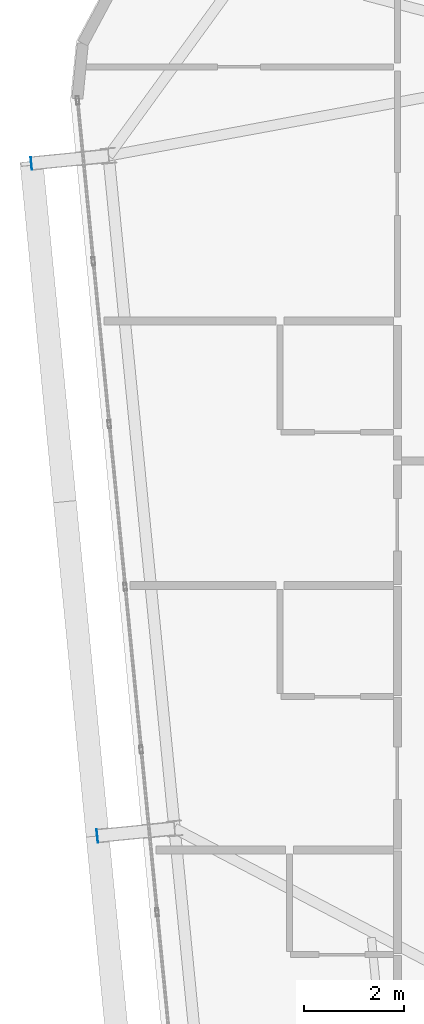
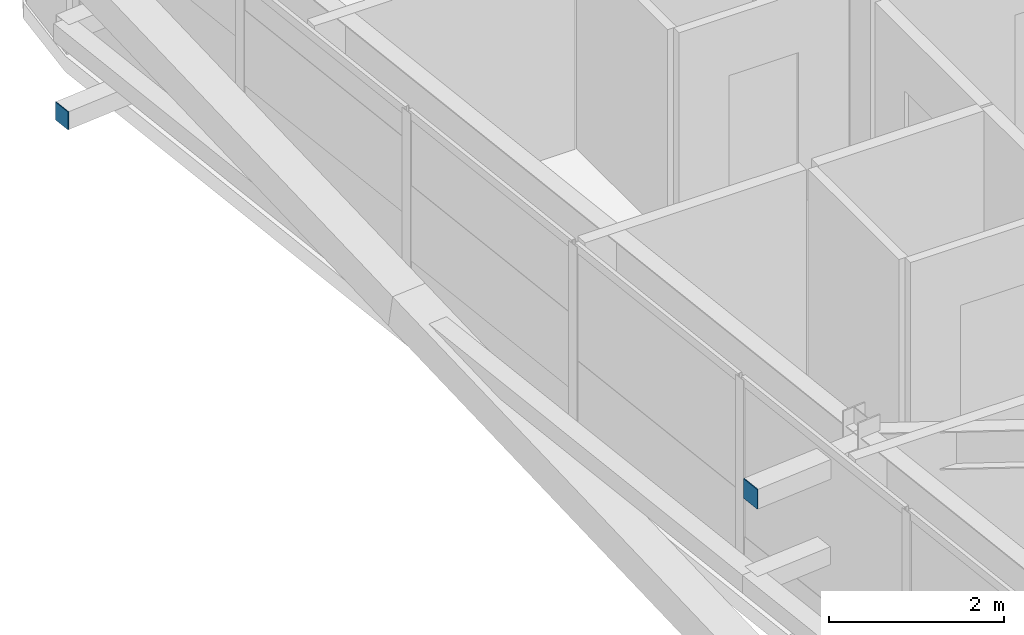
# One storey, part 40 of 53: 2 plates.
"""IFC4 building model written with IfcOpenShell, lengths in metres."""

from ifc_helpers import new_model, si_unit, direction, frame, origin, origin_2d, place, context, subcontext, project, spatial, rectangle, extrude, source, transform, mapped, material, layer, layer_set, type_object, element, save


model = new_model("IFC4")

# Units and contexts
model_context = context("Model", 3, precision=1e-05, world=origin(), true_north=direction((0.0, 1.0)))
body_context = subcontext(model_context, "Body", "Model", "MODEL_VIEW")
ifc_project = project(units=[si_unit("LENGTHUNIT", "METRE"), si_unit("AREAUNIT", "SQUARE_METRE"), si_unit("VOLUMEUNIT", "CUBIC_METRE"), si_unit("PLANEANGLEUNIT", "RADIAN"), si_unit("MASSUNIT", "GRAM", prefix="KILO")], contexts=[model_context])

# Site, building, storey
site_placement = place(None, origin())
site = spatial("IfcSite", under=ifc_project, at=site_placement, CompositionType="ELEMENT")
building_placement = place(site_placement, origin())
building = spatial("IfcBuilding", under=site, at=building_placement, Name="Taldren Reach Tower", CompositionType="ELEMENT")
storey_placement = place(building_placement, frame((0.0, 0.0, 71.39990234375)))
storey = spatial("IfcBuildingStorey", under=building, at=storey_placement, Name="L21", CompositionType="ELEMENT", Elevation=71.39990234375)

# Plates
ifc_material_1 = material(Name="Steel Gr 450 (C450L0)", Category="steel")
ifc_layer_1 = layer(ifc_material_1, 0.011962890625)
ifc_layer_set_1 = layer_set([ifc_layer_1], Name="Steel Gr 450 (C450L0)")
plate_type_1 = type_object("IfcPlateType", Name="PL-CAP-275", PredefinedType="SHEET", material=ifc_layer_set_1)
shared_shape_1 = source(origin(), body_context, "Body", "SweptSolid", [
    extrude(rectangle(XDim=0.011962890625, YDim=0.27490234375, at=origin_2d()), origin(), (0.0, 0.0, 1.0), 0.27490234375),
])
plate_1_placement = place(storey_placement, frame((8.58203125, 16.479248046875, 2.5126953125), z_axis=(0.0, 0.0, 1.0), x_axis=(0.995227399982, 0.097582899759, 0.0)))
element("IfcPlate", 1, at=plate_1_placement, inside=storey, type_object=plate_type_1, Name="Tie strut end cap plate B2-W2 L21", PredefinedType="SHEET", context=body_context, shape_type="MappedRepresentation", body=[
    mapped(shared_shape_1, transform((0.0, 0.0, 0.0), scale=1.0)),
])
ifc_material_2 = material(Name="Steel Gr 350 (C350L0)", Category="steel")
ifc_layer_2 = layer(ifc_material_2, 0.011962890625)
ifc_layer_set_2 = layer_set([ifc_layer_2], Name="Steel Gr 350 (C350L0)")
plate_type_2 = type_object("IfcPlateType", Name="PL-CAP-250", PredefinedType="SHEET", material=ifc_layer_set_2)
shared_shape_2 = source(origin(), body_context, "Body", "SweptSolid", [
    extrude(rectangle(XDim=0.011962890625, YDim=0.25, at=origin_2d()), origin(), (0.0, 0.0, 1.0), 0.25),
])
plate_2_placement = place(storey_placement, frame((7.259765625, 29.964599609375, 0.09521484375), z_axis=(0.0, 0.0, 1.0), x_axis=(0.995227399982, 0.097582899759, 0.0)))
element("IfcPlate", 2, at=plate_2_placement, inside=storey, type_object=plate_type_2, Name="Tie strut end cap plate B2-W3 L21", PredefinedType="SHEET", context=body_context, shape_type="MappedRepresentation", body=[
    mapped(shared_shape_2, transform((0.0, 0.0, 0.0), scale=1.0)),
])

save(model, "model.ifc")
